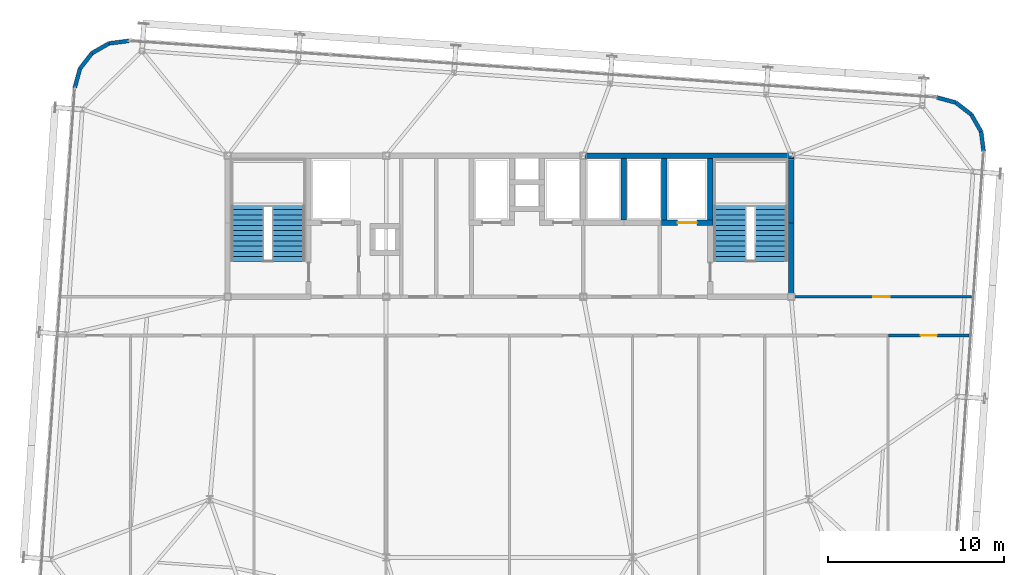
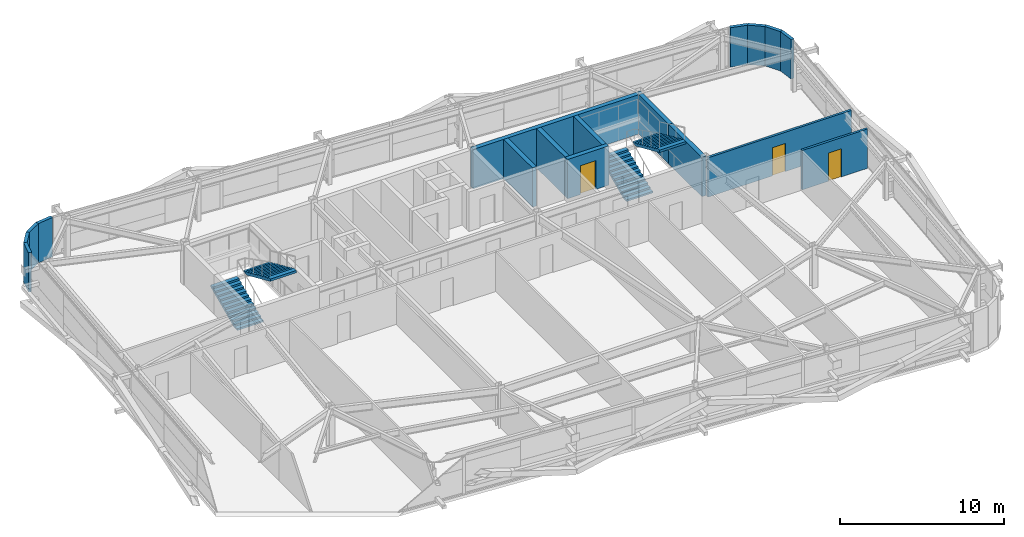
# One storey, part 37 of 39: 17 walls, 4 stair flights, 3 doors, 3 openings, 2 elements without a shape of their own.
"""IFC4 building model written with IfcOpenShell, lengths in metres."""

from ifc_helpers import new_model, si_unit, direction, frame, frame_2d, origin, place, context, subcontext, project, spatial, polyline, rectangle, outline, extrude, source, transform, mapped, material, layer, layer_set, type_object, element, fill, aggregate, save


model = new_model("IFC4")

# Units and contexts
model_context = context("Model", 3, precision=1e-05, world=origin(), true_north=direction((0.0, 1.0)))
body_context = subcontext(model_context, "Body", "Model", "MODEL_VIEW")
ifc_project = project(units=[si_unit("LENGTHUNIT", "METRE"), si_unit("AREAUNIT", "SQUARE_METRE"), si_unit("VOLUMEUNIT", "CUBIC_METRE"), si_unit("PLANEANGLEUNIT", "RADIAN"), si_unit("MASSUNIT", "GRAM", prefix="KILO")], contexts=[model_context])

# Site, building, storey
site_placement = place(None, origin())
site = spatial("IfcSite", under=ifc_project, at=site_placement, CompositionType="ELEMENT")
building_placement = place(site_placement, origin())
building = spatial("IfcBuilding", under=site, at=building_placement, Name="Taldren Reach Tower", CompositionType="ELEMENT")
storey_placement = place(building_placement, frame((0.0, 0.0, 151.89990234375)))
storey = spatial("IfcBuildingStorey", under=building, at=storey_placement, Name="L46", CompositionType="ELEMENT", Elevation=151.89990234375)

# Walls
ifc_material_1 = material(Name="Pale Champagne Anodised Aluminium Cladding", Category="aluminium")
ifc_layer_1 = layer(ifc_material_1, 0.04, Name="Pale Champagne Anodised Aluminium Cladding", Category="aluminium")
ifc_material_2 = material(Name="Mineral Wool Acoustic Insulation", Category="insulation")
ifc_layer_2 = layer(ifc_material_2, 0.06, Name="Mineral Wool Acoustic Insulation", Category="insulation")
ifc_material_3 = material(Name="Steel Gr 350 (C350L0)", Category="steel")
ifc_layer_3 = layer(ifc_material_3, 0.12, Name="Steel Gr 350 (C350L0)", Category="steel")
ifc_layer_set_1 = layer_set([ifc_layer_1, ifc_layer_2, ifc_layer_3], Name="Pale Champagne Aluminium Cladding and Steel Gr 350 Stud Framing")
wall_type_1 = type_object("IfcWallType", Name="EW-CRN-220", PredefinedType="SOLIDWALL", material=ifc_layer_set_1)
shared_shape_1 = source(origin(), body_context, "Body", "SweptSolid", [
    extrude(rectangle(XDim=1.115966796875, YDim=0.219970703125, at=frame_2d((0.55810546875, 0.0))), origin(), (0.0, 0.0, 1.0), 2.93017578125),
])
for number, where, z_axis, x_axis, name in (
    (1, (61.923583984375, 32.261962890625, 0.0), (0.0, 0.0, 1.0), (-0.126242535829, 0.991999406324, 0.0), "Rounded-corner pale-metal facade wall L46-NE1"),
    (2, (61.78271484375, 33.368896484375, 0.0), (0.0, 0.0, 1.0), (-0.496138938357, 0.868243142124, 0.0), "Rounded-corner pale-metal facade wall L46-NE2"),
    (3, (61.22900390625, 34.337890625, 0.0), (0.0, 0.0, 1.0), (-0.790716874741, 0.612182018684, 0.0), "Rounded-corner pale-metal facade wall L46-NE3"),
    (4, (60.3466796875, 35.02099609375, 0.0), (0.0, 0.0, 1.0), (-0.964804199372, 0.262969307856, 0.0), "Rounded-corner pale-metal facade wall L46-NE4"),
    (5, (13.382080078125, 38.5234375, 0.0), (0.0, 0.0, 1.0), (-0.991999406324, -0.126242535829, 0.0), "Rounded-corner pale-metal facade wall L46-NW1"),
    (6, (11.306396484375, 37.828857421875, 0.0), (0.0, 0.0, 1.0), (-0.612318787668, -0.790610967714, 0.0), "Rounded-corner pale-metal facade wall L46-NW3"),
    (7, (10.623046875, 36.946533203125, 0.0), (0.0, 0.0, 1.0), (-0.262969307856, -0.964804199372, 0.0), "Rounded-corner pale-metal facade wall L46-NW4"),
):
    element("IfcWall", number, at=place(storey_placement, frame(where, z_axis=z_axis, x_axis=x_axis)), inside=storey, type_object=wall_type_1, Name=name, PredefinedType="SOLIDWALL", context=body_context, shape_type="MappedRepresentation", body=[
        mapped(shared_shape_1, transform((0.0, 0.0, 0.0), scale=1.0)),
    ])
shared_shape_2 = source(origin(), body_context, "Body", "SweptSolid", [
    extrude(rectangle(XDim=1.11572265625, YDim=0.219970703125, at=frame_2d((0.557861328125, 0.0))), origin(), (0.0, 0.0, 1.0), 2.93017578125),
])
wall_1_placement = place(storey_placement, frame((12.275146484375, 38.382568359375, 0.0), z_axis=(0.0, 0.0, 1.0), x_axis=(-0.868189279113, -0.496233186751, 0.0)))
element("IfcWall", 8, at=wall_1_placement, inside=storey, type_object=wall_type_1, Name="Rounded-corner pale-metal facade wall L46-NW2", PredefinedType="SOLIDWALL", context=body_context, shape_type="MappedRepresentation", body=[
    mapped(shared_shape_2, transform((0.0, 0.0, 0.0), scale=1.0)),
])
ifc_material_4 = material(Name="Concrete S65 (65 MPa)", Category="concrete")
ifc_layer_4 = layer(ifc_material_4, 0.300048828125)
ifc_layer_set_2 = layer_set([ifc_layer_4], Name="Concrete S65 (65 MPa)")
wall_type_2 = type_object("IfcWallType", Name="IW-CORE-300", PredefinedType="SHEAR", material=ifc_layer_set_2)
shared_shape_3 = source(origin(), body_context, "Body", "SweptSolid", [
    extrude(rectangle(XDim=11.949951171875, YDim=0.300048828125, at=frame_2d((5.97509765625, 0.0))), origin(), (0.0, 0.0, 1.0), 2.93017578125),
])
wall_2_placement = place(storey_placement, frame((39.199951171875, 32.0, 0.0), z_axis=(0.0, 0.0, 1.0), x_axis=(1.0, 0.0, 0.0)))
element("IfcWall", 9, at=wall_2_placement, inside=storey, type_object=wall_type_2, Name="Rear Core Shear Wall W-CORE-L46-NORTH3", PredefinedType="SHEAR", context=body_context, shape_type="MappedRepresentation", body=[
    mapped(shared_shape_3, transform((0.0, 0.0, 0.0), scale=1.0)),
])
shared_shape_4 = source(origin(), body_context, "Body", "SweptSolid", [
    extrude(rectangle(XDim=4.050048828125, YDim=0.300048828125, at=frame_2d((2.02490234375, 0.0))), origin(), (0.0, 0.0, 1.0), 2.93017578125),
])
wall_3_placement = place(storey_placement, frame((51.0, 24.14990234375, 0.0), z_axis=(0.0, 0.0, 1.0), x_axis=(0.0, 1.0, 0.0)))
element("IfcWall", 10, at=wall_3_placement, inside=storey, type_object=wall_type_2, Name="Rear Core Shear Wall W-CORE-L46-EAST1", PredefinedType="SHEAR", context=body_context, shape_type="MappedRepresentation", body=[
    mapped(shared_shape_4, transform((0.0, 0.0, 0.0), scale=1.0)),
])
shared_shape_5 = source(origin(), body_context, "Body", "SweptSolid", [
    extrude(rectangle(XDim=3.650146484375, YDim=0.300048828125, at=frame_2d((1.8251953125, 0.0))), origin(), (0.0, 0.0, 1.0), 2.93017578125),
])
wall_4_placement = place(storey_placement, frame((51.0, 28.199951171875, 0.0), z_axis=(0.0, 0.0, 1.0), x_axis=(0.0, 1.0, 0.0)))
element("IfcWall", 11, at=wall_4_placement, inside=storey, type_object=wall_type_2, Name="Rear Core Shear Wall W-CORE-L46-EAST2", PredefinedType="SHEAR", context=body_context, shape_type="MappedRepresentation", body=[
    mapped(shared_shape_5, transform((0.0, 0.0, 0.0), scale=1.0)),
])
shared_shape_6 = source(origin(), body_context, "Body", "SweptSolid", [
    extrude(rectangle(XDim=3.5, YDim=0.300048828125, at=frame_2d((1.75, 0.0))), origin(), (0.0, 0.0, 1.0), 2.93017578125),
])
for number, where, z_axis, x_axis, name in (
    (12, (46.39990234375, 31.85009765625, 0.0), (0.0, 0.0, 1.0), (0.0, -1.0, 0.0), "Rear Core Shear Wall W-INT-L46-007"),
    (13, (43.800048828125, 31.85009765625, 0.0), (0.0, 0.0, 1.0), (0.0, -1.0, 0.0), "Rear Core Shear Wall W-INT-L46-011"),
    (14, (41.5, 28.35009765625, 0.0), (0.0, 0.0, 1.0), (0.0, 1.0, 0.0), "Rear Core Shear Wall W-INT-L46-033"),
):
    element("IfcWall", number, at=place(storey_placement, frame(where, z_axis=z_axis, x_axis=x_axis)), inside=storey, type_object=wall_type_2, Name=name, PredefinedType="SHEAR", context=body_context, shape_type="MappedRepresentation", body=[
        mapped(shared_shape_6, transform((0.0, 0.0, 0.0), scale=1.0)),
    ])

# Wall, opening, door
shared_shape_7 = source(origin(), body_context, "Body", "SweptSolid", [
    extrude(rectangle(XDim=2.900146484375, YDim=0.300048828125, at=frame_2d((1.4501953125, 0.0))), origin(), (0.0, 0.0, 1.0), 2.93017578125),
])
wall_5_placement = place(storey_placement, frame((43.64990234375, 28.199951171875, 0.0), z_axis=(0.0, 0.0, 1.0), x_axis=(1.0, 0.0, 0.0)))
wall_5 = element("IfcWall", 15, at=wall_5_placement, inside=storey, type_object=wall_type_2, Name="Rear Core Shear Wall W-INT-L46-010", PredefinedType="SHEAR", context=body_context, shape_type="MappedRepresentation", body=[
    mapped(shared_shape_7, transform((0.0, 0.0, 0.0), scale=1.0)),
])
shared_shape_8 = source(origin(), body_context, "Body", "SweptSolid", [
    extrude(rectangle(XDim=1.10009765625, YDim=2.14990234375, at=frame_2d((0.550048828125, 1.074951171875))), frame((0.0, 0.16015625, 0.0), z_axis=(0.0, -1.0, 0.0), x_axis=(1.0, 0.0, 0.0)), (0.0, 0.0, 1.0), 0.320068359375),
])
opening_1_placement = place(wall_5_placement, frame((0.89990234375, 0.0, 0.0)))
opening_1 = element("IfcOpeningElement", 16, at=opening_1_placement, cuts=wall_5, Name="Opening LD-FL2", PredefinedType="OPENING", context=body_context, shape_type="MappedRepresentation", body=[
    mapped(shared_shape_8, transform((0.0, 0.0, 0.0), scale=1.0)),
])
ifc_material_5 = material(Name="Stainless Steel Gr 316 Emergency Lift Landing Door", Category="steel")
door_type_1 = type_object("IfcDoorType", Name="LD-EMG-110", OperationType="SLIDING_TO_LEFT", PredefinedType="DOOR", material=ifc_material_5)
shared_shape_9 = source(origin(), body_context, "Body", "SweptSolid", [
    extrude(rectangle(XDim=1.10009765625, YDim=2.14990234375, at=frame_2d((0.550048828125, 1.074951171875))), frame((0.0, 0.02490234375, 0.0), z_axis=(0.0, -1.0, 0.0), x_axis=(1.0, 0.0, 0.0)), (0.0, 0.0, 1.0), 0.050048828125),
])
door_1_placement = place(opening_1_placement, origin())
door_1 = element("IfcDoor", 17, at=door_1_placement, inside=storey, type_object=door_type_1, Name="Lift Landing Door LD-FL2-L46", OperationType="SLIDING_TO_LEFT", OverallHeight=2.14990234375, OverallWidth=1.10009765625, PredefinedType="DOOR", context=body_context, shape_type="MappedRepresentation", body=[
    mapped(shared_shape_9, transform((0.0, 0.0, 0.0), scale=1.0)),
])
fill(opening_1, door_1)

ifc_material_6 = material(Name="Fire-Rated Acoustic Plasterboard Stud Wall", Category="gypsum")
ifc_layer_5 = layer(ifc_material_6, 0.159912109375)
ifc_layer_set_3 = layer_set([ifc_layer_5], Name="Fire-Rated Acoustic Plasterboard Stud Wall")
wall_type_3 = type_object("IfcWallType", Name="IW-FIRE-160", PredefinedType="PARTITIONING", material=ifc_layer_set_3)
shared_shape_10 = source(origin(), body_context, "Body", "SweptSolid", [
    extrude(rectangle(XDim=10.10009765625, YDim=0.159912109375, at=frame_2d((5.050048828125, 0.0))), origin(), (0.0, 0.0, 1.0), 2.93017578125),
])
wall_6_placement = place(storey_placement, frame((51.14990234375, 24.0, 0.0), z_axis=(0.0, 0.0, 1.0), x_axis=(1.0, 0.0, 0.0)))
wall_6 = element("IfcWall", 18, at=wall_6_placement, inside=storey, type_object=wall_type_3, Name="Interior Partition Wall W-INT-L46-051", PredefinedType="PARTITIONING", context=body_context, shape_type="MappedRepresentation", body=[
    mapped(shared_shape_10, transform((0.0, 0.0, 0.0), scale=1.0)),
])
shared_shape_11 = source(origin(), body_context, "Body", "SweptSolid", [
    extrude(rectangle(XDim=0.919921875, YDim=2.10009765625, at=frame_2d((0.4599609375, 1.050048828125))), frame((0.0, 0.08984375, 0.0), z_axis=(0.0, -1.0, 0.0), x_axis=(1.0, 0.0, 0.0)), (0.0, 0.0, 1.0), 0.179931640625),
])
opening_2_placement = place(wall_6_placement, frame((4.525146484375, 0.0, 0.0)))
opening_2 = element("IfcOpeningElement", 19, at=opening_2_placement, cuts=wall_6, Name="Opening DI-092", PredefinedType="OPENING", context=body_context, shape_type="MappedRepresentation", body=[
    mapped(shared_shape_11, transform((0.0, 0.0, 0.0), scale=1.0)),
])
ifc_material_7 = material(Name="Solid-Core Timber Suite Door", Category="wood")
door_type_2 = type_object("IfcDoorType", Name="ID-INT-092", OperationType="NOTDEFINED", PredefinedType="DOOR", material=ifc_material_7)
shared_shape_12 = source(origin(), body_context, "Body", "SweptSolid", [
    extrude(rectangle(XDim=0.919921875, YDim=2.10009765625, at=frame_2d((0.4599609375, 1.050048828125))), frame((0.0, 0.02490234375, 0.0), z_axis=(0.0, -1.0, 0.0), x_axis=(1.0, 0.0, 0.0)), (0.0, 0.0, 1.0), 0.050048828125),
])
door_2_placement = place(opening_2_placement, origin())
door_2 = element("IfcDoor", 20, at=door_2_placement, inside=storey, type_object=door_type_2, Name="Interior Door DR-L46-018", OperationType="SINGLE_SWING_LEFT", OverallHeight=2.10009765625, OverallWidth=0.919921875, PredefinedType="DOOR", context=body_context, shape_type="MappedRepresentation", body=[
    mapped(shared_shape_12, transform((0.0, 0.0, 0.0), scale=1.0)),
])
fill(opening_2, door_2)

shared_shape_13 = source(origin(), body_context, "Body", "SweptSolid", [
    extrude(rectangle(XDim=4.587158203125, YDim=0.159912109375, at=frame_2d((2.29345703125, 0.0))), origin(), (0.0, 0.0, 1.0), 2.93017578125),
])
wall_7_placement = place(storey_placement, frame((61.107421875, 21.800048828125, 0.0), z_axis=(0.0, 0.0, 1.0), x_axis=(-1.0, 0.0, 0.0)))
wall_7 = element("IfcWall", 21, at=wall_7_placement, inside=storey, type_object=wall_type_3, Name="Interior Partition Wall W-INT-L46-050", PredefinedType="PARTITIONING", context=body_context, shape_type="MappedRepresentation", body=[
    mapped(shared_shape_13, transform((0.0, 0.0, 0.0), scale=1.0)),
])
opening_3_placement = place(wall_7_placement, frame((1.83349609375, 0.0, 0.0)))
opening_3 = element("IfcOpeningElement", 22, at=opening_3_placement, cuts=wall_7, Name="Opening DI-092", PredefinedType="OPENING", context=body_context, shape_type="MappedRepresentation", body=[
    mapped(shared_shape_11, transform((0.0, 0.0, 0.0), scale=1.0)),
])
door_3_placement = place(opening_3_placement, origin())
door_3 = element("IfcDoor", 23, at=door_3_placement, inside=storey, type_object=door_type_2, Name="Interior Door DR-L46-017", OperationType="SINGLE_SWING_RIGHT", OverallHeight=2.10009765625, OverallWidth=0.919921875, PredefinedType="DOOR", context=body_context, shape_type="MappedRepresentation", body=[
    mapped(shared_shape_12, transform((0.0, 0.0, 0.0), scale=1.0)),
])
fill(opening_3, door_3)

# Stair, stair flights
ifc_material_8 = material(Name="Concrete S50 (50 MPa)", Category="concrete")
stair_type = type_object("IfcStairType", Name="ST-HT-315", PredefinedType="HALF_TURN_STAIR", material=ifc_material_8)
stair_1_placement = place(storey_placement, origin())
stair_1 = element("IfcStair", 24, at=stair_1_placement, inside=storey, type_object=stair_type, Name="Fire-isolated exit stair ST1 L46", PredefinedType="HALF_TURN_STAIR")
stair_flight_type = type_object("IfcStairFlightType", Name="SF-STR-315", PredefinedType="STRAIGHT", material=ifc_material_8)
stair_flight_1_placement = place(storey_placement, frame((20.139892578125, 25.989990234375, 0.0), z_axis=(0.0, 0.0, 1.0), x_axis=(0.0, 1.0, 0.0)))
stair_flight_1 = element("IfcStairFlight", 25, at=stair_flight_1_placement, type_object=stair_flight_type, Name="ST1 flight 1", NumberOfRisers=12, NumberOfTreads=11, PredefinedType="STRAIGHT", RiserHeight=0.13125, TreadLength=0.295, context=body_context, shape_type="SweptSolid", body=[
    extrude(outline(polyline([(0.0, 0.0), (0.0, 0.13134765625), (0.294921875, 0.13134765625), (0.294921875, 0.262451171875), (0.590087890625, 0.262451171875), (0.590087890625, 0.393798828125), (0.885009765625, 0.393798828125), (0.885009765625, 0.52490234375), (1.179931640625, 0.52490234375), (1.179931640625, 0.65625), (1.47509765625, 0.65625), (1.47509765625, 0.78759765625), (1.77001953125, 0.78759765625), (1.77001953125, 0.918701171875), (2.06494140625, 0.918701171875), (2.06494140625, 1.050048828125), (2.360107421875, 1.050048828125), (2.360107421875, 1.18115234375), (2.655029296875, 1.18115234375), (2.655029296875, 1.3125), (2.949951171875, 1.3125), (2.949951171875, 1.44384765625), (3.2451171875, 1.44384765625), (3.2451171875, 1.574951171875), (3.2451171875, 1.268798828125), (0.393310546875, 0.0), (0.0, 0.0)])), frame((0.0, 0.919921875, 0.0), z_axis=(0.0, -1.0, 0.0), x_axis=(1.0, 0.0, 0.0)), (0.0, 0.0, 1.0), 1.840087890625),
])
stair_flight_2_placement = place(storey_placement, frame((22.4599609375, 29.235107421875, 1.5751953125), z_axis=(0.0, 0.0, 1.0), x_axis=(0.0, -1.0, 0.0)))
stair_flight_2 = element("IfcStairFlight", 26, at=stair_flight_2_placement, type_object=stair_flight_type, Name="ST1 flight 2", NumberOfRisers=12, NumberOfTreads=11, PredefinedType="STRAIGHT", RiserHeight=0.13125, TreadLength=0.295, context=body_context, shape_type="SweptSolid", body=[
    extrude(outline(polyline([(0.0, 0.0), (0.0, 0.13134765625), (0.294921875, 0.13134765625), (0.294921875, 0.262451171875), (0.590087890625, 0.262451171875), (0.590087890625, 0.393798828125), (0.885009765625, 0.393798828125), (0.885009765625, 0.52490234375), (1.179931640625, 0.52490234375), (1.179931640625, 0.65625), (1.47509765625, 0.65625), (1.47509765625, 0.78759765625), (1.77001953125, 0.78759765625), (1.77001953125, 0.918701171875), (2.06494140625, 0.918701171875), (2.06494140625, 1.050048828125), (2.360107421875, 1.050048828125), (2.360107421875, 1.18115234375), (2.655029296875, 1.18115234375), (2.655029296875, 1.3125), (2.949951171875, 1.3125), (2.949951171875, 1.44384765625), (3.2451171875, 1.44384765625), (3.2451171875, 1.574951171875), (3.2451171875, 1.268798828125), (0.393310546875, 0.0), (0.0, 0.0)])), frame((0.0, 0.919921875, 0.0), z_axis=(0.0, -1.0, 0.0), x_axis=(1.0, 0.0, 0.0)), (0.0, 0.0, 1.0), 1.840087890625),
])
aggregate(stair_1, [stair_flight_1, stair_flight_2])

stair_2_placement = place(storey_placement, origin())
stair_2 = element("IfcStair", 27, at=stair_2_placement, inside=storey, type_object=stair_type, Name="Fire-isolated exit stair ST2 L46", PredefinedType="HALF_TURN_STAIR")
stair_flight_3_placement = place(storey_placement, frame((47.5400390625, 25.989990234375, 0.0), z_axis=(0.0, 0.0, 1.0), x_axis=(0.0, 1.0, 0.0)))
stair_flight_3 = element("IfcStairFlight", 28, at=stair_flight_3_placement, type_object=stair_flight_type, Name="ST2 flight 1", NumberOfRisers=12, NumberOfTreads=11, PredefinedType="STRAIGHT", RiserHeight=0.13125, TreadLength=0.295, context=body_context, shape_type="SweptSolid", body=[
    extrude(outline(polyline([(0.0, 0.0), (0.0, 0.13134765625), (0.294921875, 0.13134765625), (0.294921875, 0.262451171875), (0.590087890625, 0.262451171875), (0.590087890625, 0.393798828125), (0.885009765625, 0.393798828125), (0.885009765625, 0.52490234375), (1.179931640625, 0.52490234375), (1.179931640625, 0.65625), (1.47509765625, 0.65625), (1.47509765625, 0.78759765625), (1.77001953125, 0.78759765625), (1.77001953125, 0.918701171875), (2.06494140625, 0.918701171875), (2.06494140625, 1.050048828125), (2.360107421875, 1.050048828125), (2.360107421875, 1.18115234375), (2.655029296875, 1.18115234375), (2.655029296875, 1.3125), (2.949951171875, 1.3125), (2.949951171875, 1.44384765625), (3.2451171875, 1.44384765625), (3.2451171875, 1.574951171875), (3.2451171875, 1.268798828125), (0.393310546875, 0.0), (0.0, 0.0)])), frame((0.0, 0.919921875, 0.0), z_axis=(0.0, -1.0, 0.0), x_axis=(1.0, 0.0, 0.0)), (0.0, 0.0, 1.0), 1.840087890625),
])
stair_flight_4_placement = place(storey_placement, frame((49.860107421875, 29.235107421875, 1.5751953125), z_axis=(0.0, 0.0, 1.0), x_axis=(0.0, -1.0, 0.0)))
stair_flight_4 = element("IfcStairFlight", 29, at=stair_flight_4_placement, type_object=stair_flight_type, Name="ST2 flight 2", NumberOfRisers=12, NumberOfTreads=11, PredefinedType="STRAIGHT", RiserHeight=0.13125, TreadLength=0.295, context=body_context, shape_type="SweptSolid", body=[
    extrude(outline(polyline([(0.0, 0.0), (0.0, 0.13134765625), (0.294921875, 0.13134765625), (0.294921875, 0.262451171875), (0.590087890625, 0.262451171875), (0.590087890625, 0.393798828125), (0.885009765625, 0.393798828125), (0.885009765625, 0.52490234375), (1.179931640625, 0.52490234375), (1.179931640625, 0.65625), (1.47509765625, 0.65625), (1.47509765625, 0.78759765625), (1.77001953125, 0.78759765625), (1.77001953125, 0.918701171875), (2.06494140625, 0.918701171875), (2.06494140625, 1.050048828125), (2.360107421875, 1.050048828125), (2.360107421875, 1.18115234375), (2.655029296875, 1.18115234375), (2.655029296875, 1.3125), (2.949951171875, 1.3125), (2.949951171875, 1.44384765625), (3.2451171875, 1.44384765625), (3.2451171875, 1.574951171875), (3.2451171875, 1.268798828125), (0.393310546875, 0.0), (0.0, 0.0)])), frame((0.0, 0.919921875, 0.0), z_axis=(0.0, -1.0, 0.0), x_axis=(1.0, 0.0, 0.0)), (0.0, 0.0, 1.0), 1.840087890625),
])
aggregate(stair_2, [stair_flight_3, stair_flight_4])

save(model, "model.ifc")
